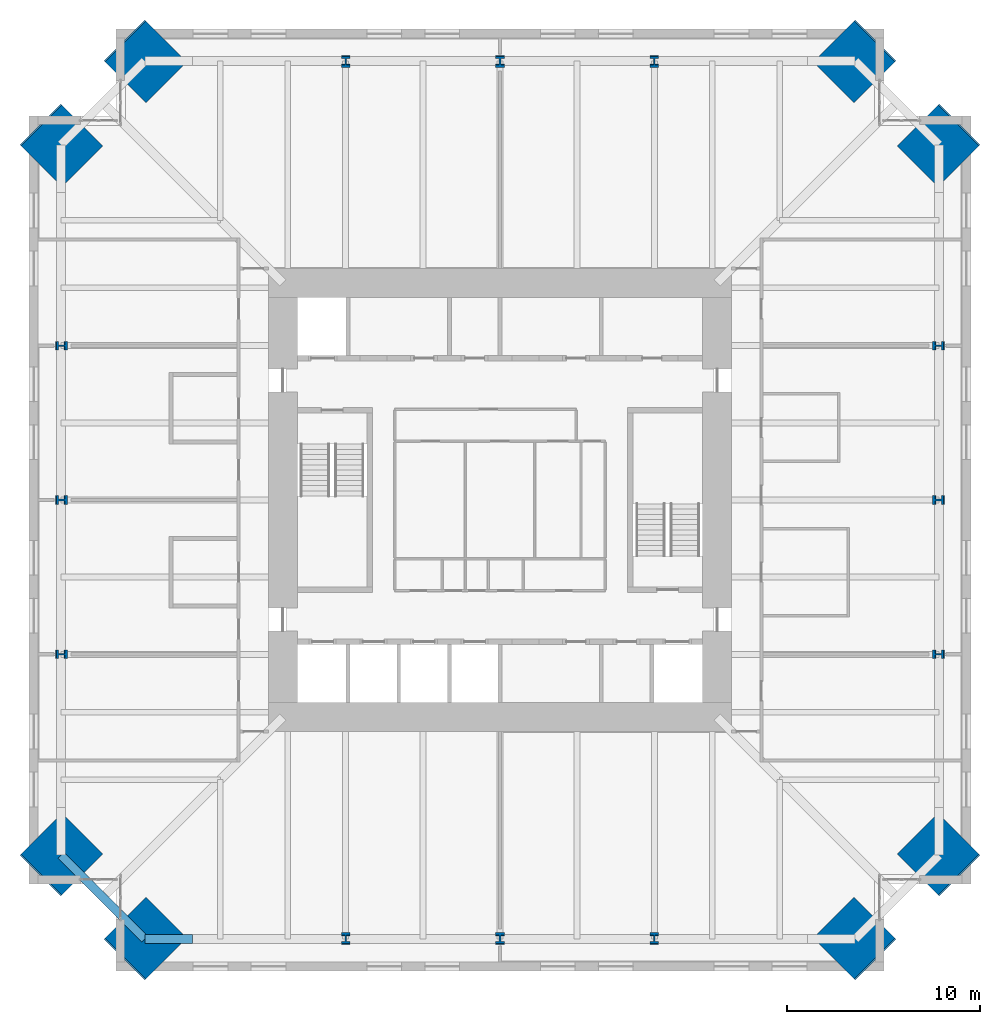
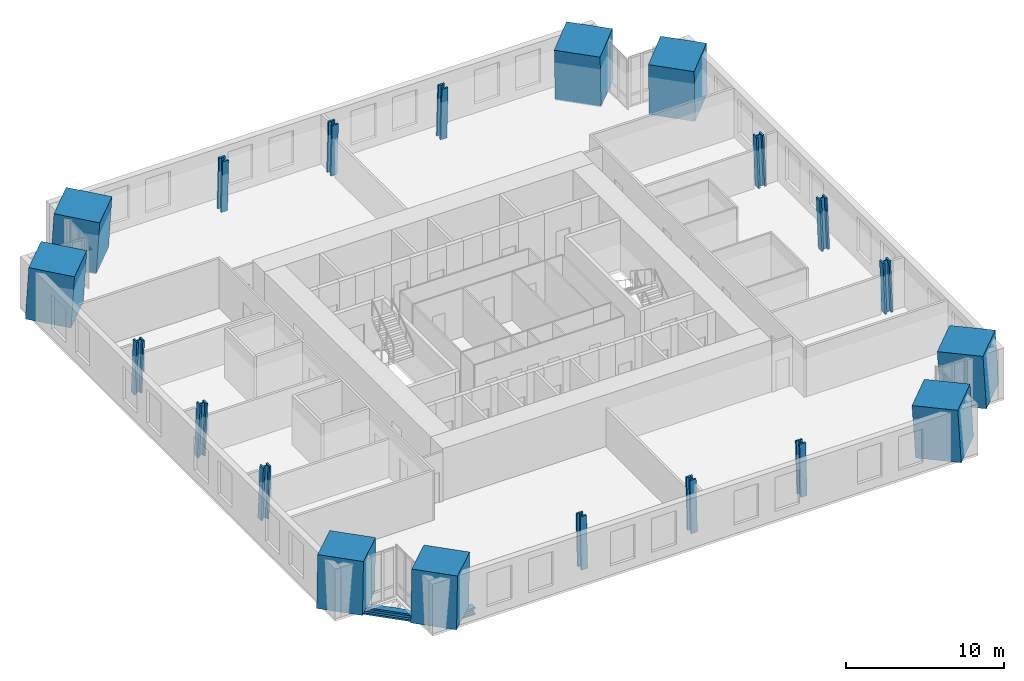
# One storey, part 1 of 15: 20 columns, 1 beam, 1 member.
"""IFC4 building model written with IfcOpenShell, lengths in metres."""

from ifc_helpers import new_model, si_unit, direction, frame, origin, origin_2d, place, context, subcontext, project, spatial, rectangle, i_section, extrude, material, material_profile, profile_set, type_object, element, save


model = new_model("IFC4")

# Units and contexts
model_context = context("Model", 3, precision=1e-05, world=origin(), true_north=direction((0.0, 1.0)))
body_context = subcontext(model_context, "Body", "Model", "MODEL_VIEW")
ifc_project = project(units=[si_unit("LENGTHUNIT", "METRE"), si_unit("AREAUNIT", "SQUARE_METRE"), si_unit("VOLUMEUNIT", "CUBIC_METRE"), si_unit("PLANEANGLEUNIT", "RADIAN"), si_unit("MASSUNIT", "GRAM", prefix="KILO")], contexts=[model_context])

# Site, building, storey
site_placement = place(None, origin())
site = spatial("IfcSite", under=ifc_project, at=site_placement, CompositionType="ELEMENT")
building_placement = place(site_placement, origin())
building = spatial("IfcBuilding", under=site, at=building_placement, Name="Peilmerk Tower", CompositionType="ELEMENT")
storey_placement = place(building_placement, frame((0.0, 0.0, 201.800048828125)))
storey = spatial("IfcBuildingStorey", under=building, at=storey_placement, Name="L43", CompositionType="ELEMENT", Elevation=201.800048828125)

# Columns
ifc_material_1 = material(Name="Concrete C90/105", Category="concrete")
ifc_material_profile_1 = material_profile(ifc_material_1, rectangle(XDim=3.0, YDim=3.0, at=origin_2d()), Name="RC 3000x3000")
ifc_profile_set_1 = profile_set([ifc_material_profile_1], Name="Concrete C90/105")
column_type_1 = type_object("IfcColumnType", Name="MC3 3000x3000 encased mega column", PredefinedType="COLUMN", material=ifc_profile_set_1)
for number, where, z_axis, x_axis, name in (
    (1, (18.40966796875, 22.759765625, 0.0), (-0.040278731567, -0.040278731567, 0.998376305592), (0.707106781187, -0.707106781187, 0.0), "Mega column MC3 NE_N L43"),
    (2, (22.759765625, 18.40966796875, 0.0), (-0.040278731567, -0.040278731567, 0.998376305592), (0.707106781187, -0.707106781187, 0.0), "Mega column MC3 NE_E L43"),
    (3, (22.759765625, -18.40966796875, 0.0), (-0.040278731567, 0.040278731567, 0.998376305592), (-0.707106781187, -0.707106781187, 0.0), "Mega column MC3 SE_E L43"),
    (4, (18.40966796875, -22.759765625, 0.0), (-0.040278731567, 0.040278731567, 0.998376305592), (-0.707106781187, -0.707106781187, 0.0), "Mega column MC3 SE_S L43"),
    (5, (-18.40966796875, -22.759765625, 0.0), (0.040278731567, 0.040278731567, 0.998376305592), (-0.707106781187, 0.707106781187, 0.0), "Mega column MC3 SW_S L43"),
    (6, (-22.759765625, -18.40966796875, 0.0), (0.040278731567, 0.040278731567, 0.998376305592), (-0.707106781187, 0.707106781187, 0.0), "Mega column MC3 SW_W L43"),
    (7, (-22.759765625, 18.40966796875, 0.0), (0.040278731567, -0.040278731567, 0.998376305592), (0.707106781187, 0.707106781187, 0.0), "Mega column MC3 NW_W L43"),
    (8, (-18.40966796875, 22.759765625, 0.0), (0.040278731567, -0.040278731567, 0.998376305592), (0.707106781187, 0.707106781187, 0.0), "Mega column MC3 NW_N L43"),
):
    element("IfcColumn", number, at=place(storey_placement, frame(where, z_axis=z_axis, x_axis=x_axis)), inside=storey, type_object=column_type_1, Name=name, PredefinedType="COLUMN", context=body_context, shape_type="SweptSolid", body=[
        extrude(rectangle(XDim=3.0, YDim=3.0, at=origin_2d()), origin(), (0.0, 0.0, 1.0), 4.006591796875),
    ])
ifc_material_2 = material(Name="Steel S460", Category="steel")
ifc_material_profile_2 = material_profile(ifc_material_2, i_section(OverallWidth=0.4541015625, OverallDepth=0.569091796875, WebThickness=0.077880859375, FlangeThickness=0.125, at=origin_2d()), Name="HD 400x1086")
ifc_profile_set_2 = profile_set([ifc_material_profile_2], Name="Steel S460")
column_type_2 = type_object("IfcColumnType", Name="SC6 HD 400x1086 interior column", PredefinedType="COLUMN", material=ifc_profile_set_2)
for number, where, z_axis, x_axis, name in (
    (9, (0.0, 22.759765625, 0.0), (0.0, -0.040311445006, 0.999187163349), (1.0, 0.0, 0.0), "Perimeter column N+0 L43"),
    (10, (8.0, 22.759765625, 0.0), (0.0, -0.040311445006, 0.999187163349), (1.0, 0.0, 0.0), "Perimeter column N-8 L43"),
    (11, (-8.0, 22.759765625, 0.0), (0.0, -0.040311445006, 0.999187163349), (1.0, 0.0, 0.0), "Perimeter column N+8 L43"),
    (12, (22.759765625, 0.0, 0.0), (-0.040311445006, 0.0, 0.999187163349), (0.0, -1.0, 0.0), "Perimeter column E+0 L43"),
    (13, (22.759765625, -8.0, 0.0), (-0.040311445006, 0.0, 0.999187163349), (0.0, -1.0, 0.0), "Perimeter column E-8 L43"),
    (14, (22.759765625, 8.0, 0.0), (-0.040311445006, 0.0, 0.999187163349), (0.0, -1.0, 0.0), "Perimeter column E+8 L43"),
    (15, (0.0, -22.759765625, 0.0), (0.0, 0.040311445006, 0.999187163349), (-1.0, 0.0, 0.0), "Perimeter column S+0 L43"),
    (16, (-8.0, -22.759765625, 0.0), (0.0, 0.040311445006, 0.999187163349), (-1.0, 0.0, 0.0), "Perimeter column S-8 L43"),
    (17, (8.0, -22.759765625, 0.0), (0.0, 0.040311445006, 0.999187163349), (-1.0, 0.0, 0.0), "Perimeter column S+8 L43"),
    (18, (-22.759765625, 0.0, 0.0), (0.040311445006, 0.0, 0.999187163349), (0.0, 1.0, 0.0), "Perimeter column W+0 L43"),
    (19, (-22.759765625, 8.0, 0.0), (0.040311445006, 0.0, 0.999187163349), (0.0, 1.0, 0.0), "Perimeter column W-8 L43"),
    (20, (-22.759765625, -8.0, 0.0), (0.040311445006, 0.0, 0.999187163349), (0.0, 1.0, 0.0), "Perimeter column W+8 L43"),
):
    element("IfcColumn", number, at=place(storey_placement, frame(where, z_axis=z_axis, x_axis=x_axis)), inside=storey, type_object=column_type_2, Name=name, PredefinedType="COLUMN", context=body_context, shape_type="SweptSolid", body=[
        extrude(i_section(OverallWidth=0.4541015625, OverallDepth=0.569091796875, WebThickness=0.077880859375, FlangeThickness=0.125, at=origin_2d()), origin(), (0.0, 0.0, 1.0), 4.003173828125),
    ])

# Beam
ifc_material_profile_3 = material_profile(ifc_material_2, i_section(OverallWidth=0.4541015625, OverallDepth=0.569091796875, WebThickness=0.077880859375, FlangeThickness=0.125, at=origin_2d()), Name="HD 400x1086")
ifc_profile_set_3 = profile_set([ifc_material_profile_3], Name="Steel S460")
beam_type = type_object("IfcBeamType", Name="B17 HD 400x1086 edge beam", PredefinedType="SPANDREL", material=ifc_profile_set_3)
beam_placement = place(storey_placement, frame((-18.40966796875, -22.759765625, -0.45458984375), z_axis=(-0.707106781187, 0.707106781187, 0.0), x_axis=(-0.707106781187, -0.707106781187, 0.0)))
element("IfcBeam", 21, at=beam_placement, inside=storey, type_object=beam_type, Name="Notch beam L43", PredefinedType="SPANDREL", context=body_context, shape_type="SweptSolid", body=[
    extrude(i_section(OverallWidth=0.4541015625, OverallDepth=0.569091796875, WebThickness=0.077880859375, FlangeThickness=0.125, at=origin_2d()), origin(), (0.0, 0.0, 1.0), 6.15185546875),
])

# Member
ifc_material_profile_4 = material_profile(ifc_material_2, i_section(OverallWidth=0.4541015625, OverallDepth=0.569091796875, WebThickness=0.077880859375, FlangeThickness=0.125, at=origin_2d()), Name="HD 400x1086")
ifc_profile_set_4 = profile_set([ifc_material_profile_4], Name="Steel S460")
member_type = type_object("IfcMemberType", Name="M1 HD 400x1086 belt truss chord", PredefinedType="CHORD", material=ifc_profile_set_4)
member_placement = place(storey_placement, frame((-18.40966796875, -22.759765625, -0.45458984375), z_axis=(1.0, 0.0, 0.0), x_axis=(0.0, 1.0, 0.0)))
element("IfcMember", 22, at=member_placement, inside=storey, type_object=member_type, Name="Belt truss chord L43", PredefinedType="CHORD", context=body_context, shape_type="SweptSolid", body=[
    extrude(i_section(OverallWidth=0.4541015625, OverallDepth=0.569091796875, WebThickness=0.077880859375, FlangeThickness=0.125, at=origin_2d()), origin(), (0.0, 0.0, 1.0), 2.459716796875),
])

save(model, "model.ifc")
